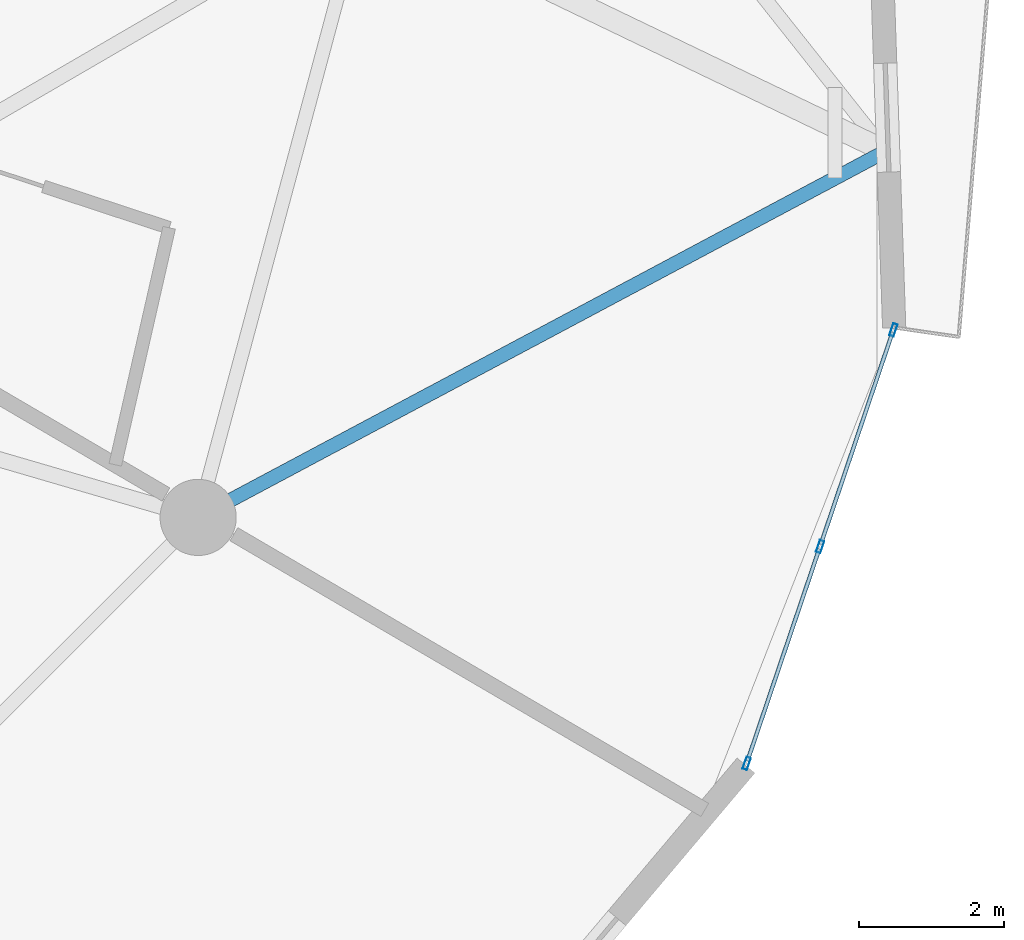
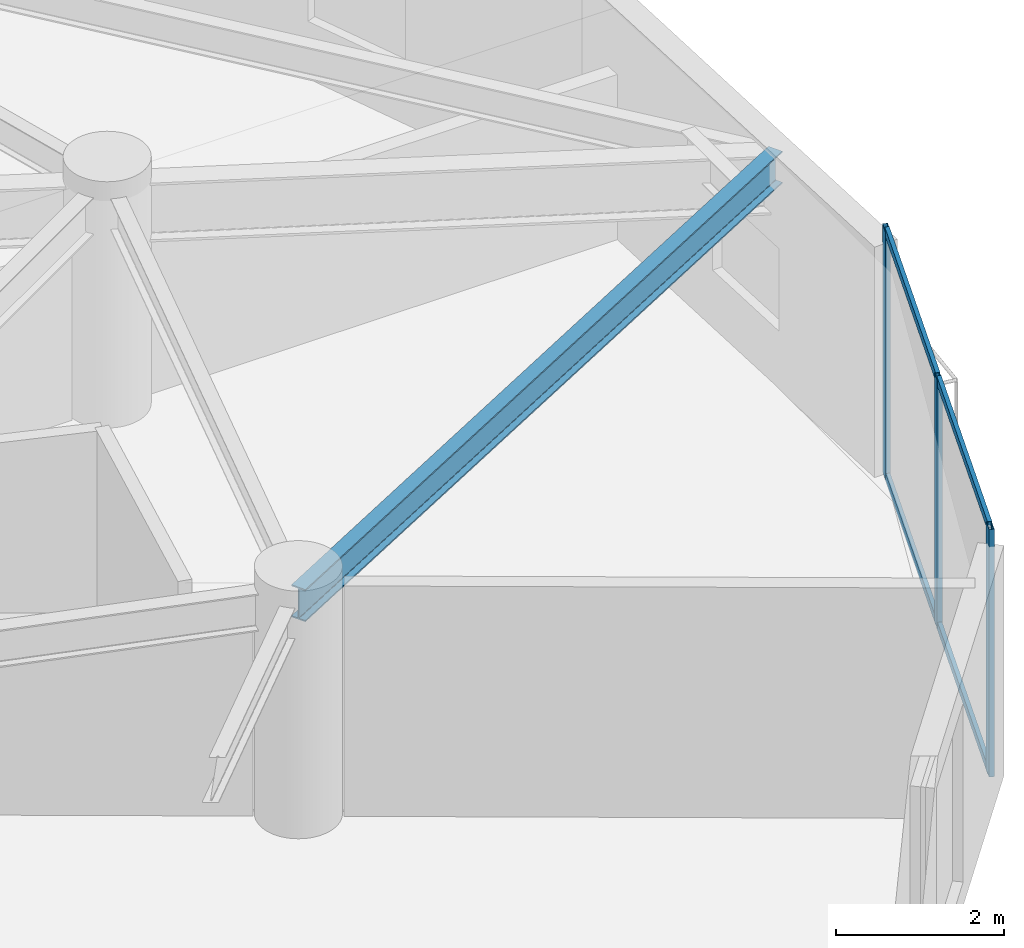
# One storey, part 11 of 23: 7 members, 1 beam, 1 element without a shape of its own.
"""IFC4 building model written with IfcOpenShell, lengths in metres."""

import ifcopenshell
import ifcopenshell.guid

model = None  # the IFC model being written
_history = None  # IfcOwnerHistory: only IFC2X3 demands one
_inside = {}  # id of a spatial element -> (the spatial element, [elements in it])
_under = {}  # id of a project, library or spatial element -> (it, [spatial elements below it])
_declared = {}  # id of a project -> (the project, [libraries it declares])
_typed = {}  # id of a type object -> (the type object, [elements of that type])
_made_of = {}  # id of a material, layer set ... -> (it, [elements and type objects made of it])


def new_model(schema):
    """Start an empty IFC model of exactly this schema.

    Asked for "IFC4X3", IfcOpenShell would pick the latest addendum, in which some entities
    have other attributes; the version numbers below select the first issue.
    IFC2X3 requires an IfcOwnerHistory on every rooted entity: one is made here for all.
    """
    global model, _history
    if schema == "IFC4X3":
        model = ifcopenshell.file(schema_version=(4, 3, 0, 0))
    else:
        model = ifcopenshell.file(schema=schema)
    _inside.clear()
    _under.clear()
    _declared.clear()
    _typed.clear()
    _made_of.clear()
    _history = None
    if model.schema == "IFC2X3":
        org = make("IfcOrganization", Name="unknown")
        user = make(
            "IfcPersonAndOrganization",
            ThePerson=make("IfcPerson", FamilyName="unknown"),
            TheOrganization=org,
        )
        app = make(
            "IfcApplication",
            ApplicationDeveloper=org,
            Version="unknown",
            ApplicationFullName="unknown",
            ApplicationIdentifier="unknown",
        )
        _history = make(
            "IfcOwnerHistory",
            OwningUser=user,
            OwningApplication=app,
            ChangeAction="ADDED",
            CreationDate=0,
        )
    return model


def make(cls, **values):
    """One entity of the class cls with the attributes given. An attribute that is None is left unset."""
    return model.create_entity(
        cls, **{name: value for name, value in values.items() if value is not None}
    )


def rooted(cls, **values):
    """An entity with a GlobalId (a new one), such as an element, a storey or a relation."""
    return make(cls, GlobalId=ifcopenshell.guid.new(), OwnerHistory=_history, **values)


def si_unit(unit_type, name, prefix=None):
    """IfcSIUnit, for example si_unit("LENGTHUNIT", "METRE", prefix="MILLI")."""
    return make("IfcSIUnit", UnitType=unit_type, Prefix=prefix, Name=name)


def assignment(units):
    """IfcUnitAssignment: the units of a project."""
    return None if units is None else make("IfcUnitAssignment", Units=units)


def point(xyz):
    """IfcCartesianPoint."""
    return None if xyz is None else make("IfcCartesianPoint", Coordinates=xyz)


def direction(xyz):
    """IfcDirection."""
    return None if xyz is None else make("IfcDirection", DirectionRatios=xyz)


def frame(location, z_axis=None, x_axis=None):
    """IfcAxis2Placement3D, a coordinate frame: its origin and axes. An axis left out is left unset."""
    return make(
        "IfcAxis2Placement3D",
        Location=point(location),
        Axis=direction(z_axis),
        RefDirection=direction(x_axis),
    )


def frame_2d(location, x_axis=None):
    """IfcAxis2Placement2D, a coordinate frame in the plane: its origin and x axis."""
    return make(
        "IfcAxis2Placement2D", Location=point(location), RefDirection=direction(x_axis)
    )


def origin():
    """The frame at (0, 0, 0) with its axes left unset."""
    return frame((0.0, 0.0, 0.0))


def origin_2d():
    """The frame at (0, 0) in the plane with its x axis left unset."""
    return frame_2d((0.0, 0.0))


def place(relative_to, where):
    """IfcLocalPlacement: puts the frame where relative to a parent placement (None: the world)."""
    return make(
        "IfcLocalPlacement", PlacementRelTo=relative_to, RelativePlacement=where
    )


def context(
    kind, dimensions, precision=None, world=None, true_north=None, identifier=None
):
    """IfcGeometricRepresentationContext, for example the 3D "Model" context."""
    return make(
        "IfcGeometricRepresentationContext",
        ContextIdentifier=identifier,
        ContextType=kind,
        CoordinateSpaceDimension=dimensions,
        Precision=precision,
        WorldCoordinateSystem=world,
        TrueNorth=true_north,
    )


def subcontext(parent, identifier, kind, view, scale=None):
    """IfcGeometricRepresentationSubContext, for example "Body" below "Model"."""
    return make(
        "IfcGeometricRepresentationSubContext",
        ContextIdentifier=identifier,
        ContextType=kind,
        ParentContext=parent,
        TargetScale=scale,
        TargetView=view,
    )


def project(units=None, contexts=None):
    """IfcProject with its units and contexts."""
    return rooted(
        "IfcProject",
        Name="project",
        RepresentationContexts=contexts,
        UnitsInContext=assignment(units),
    )


def spatial(cls, under=None, at=None, **own):
    """A site, building, storey or space (cls), placed at a placement, below another one or the project."""
    s = rooted(cls, ObjectPlacement=at, **own)
    if under is not None:
        _under.setdefault(under.id(), (under, []))[1].append(s)
    return s


def profile(cls, at=None, kind="AREA", **sizes):
    """A parametric profile (cls). Its sizes go by their IFC names, for example OverallWidth=200.0."""
    return make(cls, ProfileType=kind, Position=at, **sizes)


def hollow_rectangle(**sizes):
    """IfcRectangleHollowProfileDef."""
    return profile("IfcRectangleHollowProfileDef", **sizes)


def i_section(**sizes):
    """IfcIShapeProfileDef."""
    return profile("IfcIShapeProfileDef", **sizes)


def extrude(swept, where, along, depth):
    """IfcExtrudedAreaSolid: the profile swept, set in the frame where, extruded along a direction by depth."""
    return make(
        "IfcExtrudedAreaSolid",
        SweptArea=swept,
        Position=where,
        ExtrudedDirection=direction(along),
        Depth=depth,
    )


def shape(context_of_items, identifier, shape_type, items):
    """IfcShapeRepresentation: the items that make up one representation, for example the "Body"."""
    return make(
        "IfcShapeRepresentation",
        ContextOfItems=context_of_items,
        RepresentationIdentifier=identifier,
        RepresentationType=shape_type,
        Items=items,
    )


def source(mapping_origin, context_of_items, identifier, shape_type, items):
    """IfcRepresentationMap: a shape defined once, which mapped items show again and again."""
    return make(
        "IfcRepresentationMap",
        MappingOrigin=mapping_origin,
        MappedRepresentation=shape(context_of_items, identifier, shape_type, items),
    )


def transform(
    local_origin,
    x_axis=None,
    y_axis=None,
    z_axis=None,
    scale=None,
    scale2=None,
    scale3=None,
    uniform=True,
):
    """IfcCartesianTransformationOperator3D, or its non-uniform kind. x_axis, y_axis, z_axis: its Axis1, 2, 3."""
    if uniform:
        return make(
            "IfcCartesianTransformationOperator3D",
            Axis1=direction(x_axis),
            Axis2=direction(y_axis),
            LocalOrigin=point(local_origin),
            Scale=scale,
            Axis3=direction(z_axis),
        )
    return make(
        "IfcCartesianTransformationOperator3DnonUniform",
        Axis1=direction(x_axis),
        Axis2=direction(y_axis),
        LocalOrigin=point(local_origin),
        Scale=scale,
        Axis3=direction(z_axis),
        Scale2=scale2,
        Scale3=scale3,
    )


def mapped(mapping_source, mapping_target):
    """IfcMappedItem: shows the shape of a source again, moved by a transform."""
    return make(
        "IfcMappedItem", MappingSource=mapping_source, MappingTarget=mapping_target
    )


def material(Name=None, Category=None):
    """IfcMaterial."""
    return make("IfcMaterial", Name=Name, Category=Category)


def layer(
    of_material, thickness, ventilated=None, Name=None, Category=None, Priority=None
):
    """IfcMaterialLayer: one layer of a wall or slab, of a material (None: an air gap)."""
    return make(
        "IfcMaterialLayer",
        Material=of_material,
        LayerThickness=thickness,
        IsVentilated=ventilated,
        Name=Name,
        Category=Category,
        Priority=Priority,
    )


def layer_set(layers, Name=None):
    """IfcMaterialLayerSet."""
    return make("IfcMaterialLayerSet", MaterialLayers=layers, LayerSetName=Name)


def material_profile(
    of_material, cross_section, Name=None, Category=None, Priority=None
):
    """IfcMaterialProfile: a cross section and its material."""
    return make(
        "IfcMaterialProfile",
        Name=Name,
        Material=of_material,
        Profile=cross_section,
        Priority=Priority,
        Category=Category,
    )


def profile_set(profiles, Name=None, composite=None):
    """IfcMaterialProfileSet."""
    return make(
        "IfcMaterialProfileSet",
        Name=Name,
        MaterialProfiles=profiles,
        CompositeProfile=composite,
    )


def made_of(thing, what):
    """Note that an element or type object is made of a material, layer set ...; save() writes the relation."""
    if what is not None:
        _made_of.setdefault(what.id(), (what, []))[1].append(thing)
    return thing


def type_object(cls, material=None, **own):
    """A type object (cls), such as IfcWallType, which elements share."""
    return made_of(rooted(cls, **own), material)


def element(
    cls,
    number,
    at=None,
    inside=None,
    cuts=None,
    type_object=None,
    material=None,
    context=None,
    identifier="Body",
    shape_type=None,
    held_by="IfcProductDefinitionShape",
    body=None,
    shapes=None,
    **own,
):
    """One element of the class cls, such as IfcWall. Its Tag is "e" and its number.

    at: its placement. inside: the storey or other place that contains it. cuts: it is an
    opening in that element (IfcRelVoidsElement). A single representation is given by context,
    identifier, shape_type and body (its items); several are given by shapes. held_by: the class
    of the entity that holds the representations. save() writes the other relations.
    """
    e = rooted(cls, Tag="e%d" % number, ObjectPlacement=at, **own)
    if body is not None:
        shapes = [shape(context, identifier, shape_type, body)]
    if shapes is not None:
        e.Representation = make(held_by, Representations=shapes)
    if inside is not None:
        _inside.setdefault(inside.id(), (inside, []))[1].append(e)
    if cuts is not None:
        rooted(
            "IfcRelVoidsElement", RelatingBuildingElement=cuts, RelatedOpeningElement=e
        )
    if type_object is not None:
        _typed.setdefault(type_object.id(), (type_object, []))[1].append(e)
    return made_of(e, material)


def aggregate(whole, parts):
    """IfcRelAggregates: a whole, such as a stair, and the parts it consists of."""
    return rooted("IfcRelAggregates", RelatingObject=whole, RelatedObjects=parts)


def save(model, path):
    """Write the relations noted so far, then the file.

    IfcRelAggregates (storeys below a building ...), IfcRelContainedInSpatialStructure (elements
    in a storey), IfcRelDefinesByType, IfcRelAssociatesMaterial and IfcRelDeclares: one each for
    every whole, place, type object, material and project.
    """
    for whole, parts in _under.values():
        aggregate(whole, parts)
    for where, things in _inside.values():
        rooted(
            "IfcRelContainedInSpatialStructure",
            RelatedElements=things,
            RelatingStructure=where,
        )
    for kind, things in _typed.values():
        rooted("IfcRelDefinesByType", RelatedObjects=things, RelatingType=kind)
    for what, things in _made_of.values():
        rooted("IfcRelAssociatesMaterial", RelatedObjects=things, RelatingMaterial=what)
    for by, libraries in _declared.values():
        rooted("IfcRelDeclares", RelatingContext=by, RelatedDefinitions=libraries)
    model.write(path)


model = new_model("IFC4")

# Units and contexts
model_context = context("Model", 3, precision=1e-05, world=origin(), true_north=direction((0.0, 1.0)))
body_context = subcontext(model_context, "Body", "Model", "MODEL_VIEW")
ifc_project = project(units=[si_unit("LENGTHUNIT", "METRE"), si_unit("AREAUNIT", "SQUARE_METRE"), si_unit("VOLUMEUNIT", "CUBIC_METRE"), si_unit("PLANEANGLEUNIT", "RADIAN"), si_unit("MASSUNIT", "GRAM", prefix="KILO")], contexts=[model_context])

# Site, building, storey
site_placement = place(None, origin())
site = spatial("IfcSite", under=ifc_project, at=site_placement, CompositionType="ELEMENT")
building_placement = place(site_placement, origin())
building = spatial("IfcBuilding", under=site, at=building_placement, Name="Solvirekh Grand Hotel", CompositionType="ELEMENT")
storey_placement = place(building_placement, frame((0.0, 0.0, 109.800048828125)))
storey = spatial("IfcBuildingStorey", under=building, at=storey_placement, Name="L27", CompositionType="ELEMENT", Elevation=109.800048828125)

# Beam
ifc_material_1 = material(Name="Steel S355", Category="steel")
ifc_material_profile_1 = material_profile(ifc_material_1, i_section(OverallWidth=0.194091796875, OverallDepth=0.468994140625, WebThickness=0.010986328125, FlangeThickness=0.01904296875, FilletRadius=0.012939453125, at=origin_2d()), Name="W460X106")
ifc_profile_set_1 = profile_set([ifc_material_profile_1], Name="Steel S355")
beam_type = type_object("IfcBeamType", Name="Beam_Radial_W460H", PredefinedType="BEAM", material=ifc_profile_set_1)
beam_placement = place(storey_placement, frame((14.721923828125, -8.5, 3.055908203125), z_axis=(0.882599694934, 0.470125279582, 0.0), x_axis=(-0.470125279582, 0.882599694934, 0.0)))
element("IfcBeam", 1, at=beam_placement, inside=storey, type_object=beam_type, Name="L28 sky-garden edge tie beam 1", PredefinedType="BEAM", context=body_context, shape_type="SweptSolid", body=[
    extrude(i_section(OverallWidth=0.194091796875, OverallDepth=0.468994140625, WebThickness=0.010986328125, FlangeThickness=0.01904296875, FilletRadius=0.012939453125, at=origin_2d()), origin(), (0.0, 0.0, 1.0), 10.73095703125),
])

# Curtain wall, members
ifc_material_2 = material(Name="Anodized Bronze Aluminium 6063-T6", Category="aluminium")
ifc_layer = layer(ifc_material_2, 0.175048828125)
ifc_layer_set = layer_set([ifc_layer], Name="Anodized Bronze Aluminium 6063-T6")
curtain_wall_type = type_object("IfcCurtainWallType", Name="CW_Sys3_MidZoneFlushBronzeCW", PredefinedType="NOTDEFINED", material=ifc_layer_set)
curtain_wall_placement = place(storey_placement, origin())
curtain_wall = element("IfcCurtainWall", 2, at=curtain_wall_placement, inside=storey, type_object=curtain_wall_type, Name="L27 unitised bronze-glass curtain wall CW-L27-C01", PredefinedType="NOTDEFINED")
ifc_material_profile_2 = material_profile(ifc_material_2, hollow_rectangle(XDim=0.06494140625, YDim=0.175048828125, WallThickness=0.0048828125, at=origin_2d()), Name="ALU RHS 175X65X5")
ifc_profile_set_2 = profile_set([ifc_material_profile_2], Name="Anodized Bronze Aluminium 6063-T6")
member_type_1 = type_object("IfcMemberType", Name="CWMullion_Sys3", PredefinedType="MULLION", material=ifc_profile_set_2)
shared_shape_1 = source(origin(), body_context, "Body", "SweptSolid", [
    extrude(hollow_rectangle(XDim=0.06494140625, YDim=0.175048828125, WallThickness=0.0048828125, at=origin_2d()), origin(), (0.0, 0.0, 1.0), 3.599853515625),
])
member_1_placement = place(storey_placement, frame((22.279541015625, -11.88818359375, 0.0), z_axis=(0.0, 0.0, 1.0), x_axis=(-0.947213035477, 0.320604843106, 0.0)))
member_1 = element("IfcMember", 3, at=member_1_placement, type_object=member_type_1, Name="U03 mullion 1", PredefinedType="MULLION", context=body_context, shape_type="MappedRepresentation", body=[
    mapped(shared_shape_1, transform((0.0, 0.0, 0.0), x_axis=(1.0, 0.0, 0.0), y_axis=(0.0, 1.0, 0.0), z_axis=(0.0, 0.0, 1.0), scale=1.0)),
])
member_2_placement = place(storey_placement, frame((23.2900390625, -8.902587890625, 0.0), z_axis=(0.0, 0.0, 1.0), x_axis=(-0.947213035477, 0.320604843106, 0.0)))
member_2 = element("IfcMember", 4, at=member_2_placement, type_object=member_type_1, Name="U03 mullion 2", PredefinedType="MULLION", context=body_context, shape_type="MappedRepresentation", body=[
    mapped(shared_shape_1, transform((0.0, 0.0, 0.0), x_axis=(1.0, 0.0, 0.0), y_axis=(0.0, 1.0, 0.0), z_axis=(0.0, 0.0, 1.0), scale=1.0)),
])
member_3_placement = place(storey_placement, frame((24.300537109375, -5.916748046875, 0.0), z_axis=(0.0, 0.0, 1.0), x_axis=(-0.947213035477, 0.320604843106, 0.0)))
member_3 = element("IfcMember", 5, at=member_3_placement, type_object=member_type_1, Name="U03 mullion 3", PredefinedType="MULLION", context=body_context, shape_type="MappedRepresentation", body=[
    mapped(shared_shape_1, transform((0.0, 0.0, 0.0), x_axis=(1.0, 0.0, 0.0), y_axis=(0.0, 1.0, 0.0), z_axis=(0.0, 0.0, 1.0), scale=1.0)),
])
ifc_material_profile_3 = material_profile(ifc_material_2, hollow_rectangle(XDim=0.054931640625, YDim=0.1201171875, WallThickness=0.00390625, at=origin_2d()), Name="ALU RHS 120X55X4")
ifc_profile_set_3 = profile_set([ifc_material_profile_3], Name="Anodized Bronze Aluminium 6063-T6")
member_type_2 = type_object("IfcMemberType", Name="CWTransom_Sys3", PredefinedType="USERDEFINED", material=ifc_profile_set_3)
shared_shape_2 = source(origin(), body_context, "Body", "SweptSolid", [
    extrude(hollow_rectangle(XDim=0.054931640625, YDim=0.1201171875, WallThickness=0.00390625, at=origin_2d()), origin(), (0.0, 0.0, 1.0), 3.087158203125),
])
member_4_placement = place(storey_placement, frame((22.289794921875, -11.857421875, 0.02734375), z_axis=(0.320613640642, 0.947210057714, 0.0), x_axis=(-0.947210057714, 0.320613640642, 0.0)))
member_4 = element("IfcMember", 6, at=member_4_placement, type_object=member_type_2, Name="U03 transom 1.1", ObjectType="TRANSOM", PredefinedType="USERDEFINED", context=body_context, shape_type="MappedRepresentation", body=[
    mapped(shared_shape_2, transform((0.0, 0.0, 0.0), x_axis=(1.0, 0.0, 0.0), y_axis=(0.0, 1.0, 0.0), z_axis=(0.0, 0.0, 1.0), scale=1.0)),
])
member_5_placement = place(storey_placement, frame((22.289794921875, -11.857421875, 3.572509765625), z_axis=(0.320613640642, 0.947210057714, 0.0), x_axis=(-0.947210057714, 0.320613640642, 0.0)))
member_5 = element("IfcMember", 7, at=member_5_placement, type_object=member_type_2, Name="U03 transom 1.2", ObjectType="TRANSOM", PredefinedType="USERDEFINED", context=body_context, shape_type="MappedRepresentation", body=[
    mapped(shared_shape_2, transform((0.0, 0.0, 0.0), x_axis=(1.0, 0.0, 0.0), y_axis=(0.0, 1.0, 0.0), z_axis=(0.0, 0.0, 1.0), scale=1.0)),
])
member_6_placement = place(storey_placement, frame((23.300537109375, -8.871826171875, 0.02734375), z_axis=(0.320518670024, 0.947242198261, 0.0), x_axis=(-0.947242198261, 0.320518670024, 0.0)))
member_6 = element("IfcMember", 8, at=member_6_placement, type_object=member_type_2, Name="U03 transom 2.1", ObjectType="TRANSOM", PredefinedType="USERDEFINED", context=body_context, shape_type="MappedRepresentation", body=[
    mapped(shared_shape_2, transform((0.0, 0.0, 0.0), x_axis=(1.0, 0.0, 0.0), y_axis=(0.0, 1.0, 0.0), z_axis=(0.0, 0.0, 1.0), scale=1.0)),
])
member_7_placement = place(storey_placement, frame((23.300537109375, -8.871826171875, 3.572509765625), z_axis=(0.320518670024, 0.947242198261, 0.0), x_axis=(-0.947242198261, 0.320518670024, 0.0)))
member_7 = element("IfcMember", 9, at=member_7_placement, type_object=member_type_2, Name="U03 transom 2.2", ObjectType="TRANSOM", PredefinedType="USERDEFINED", context=body_context, shape_type="MappedRepresentation", body=[
    mapped(shared_shape_2, transform((0.0, 0.0, 0.0), x_axis=(1.0, 0.0, 0.0), y_axis=(0.0, 1.0, 0.0), z_axis=(0.0, 0.0, 1.0), scale=1.0)),
])
aggregate(curtain_wall, [member_1, member_2, member_3, member_4, member_5, member_6, member_7])

save(model, "model.ifc")
